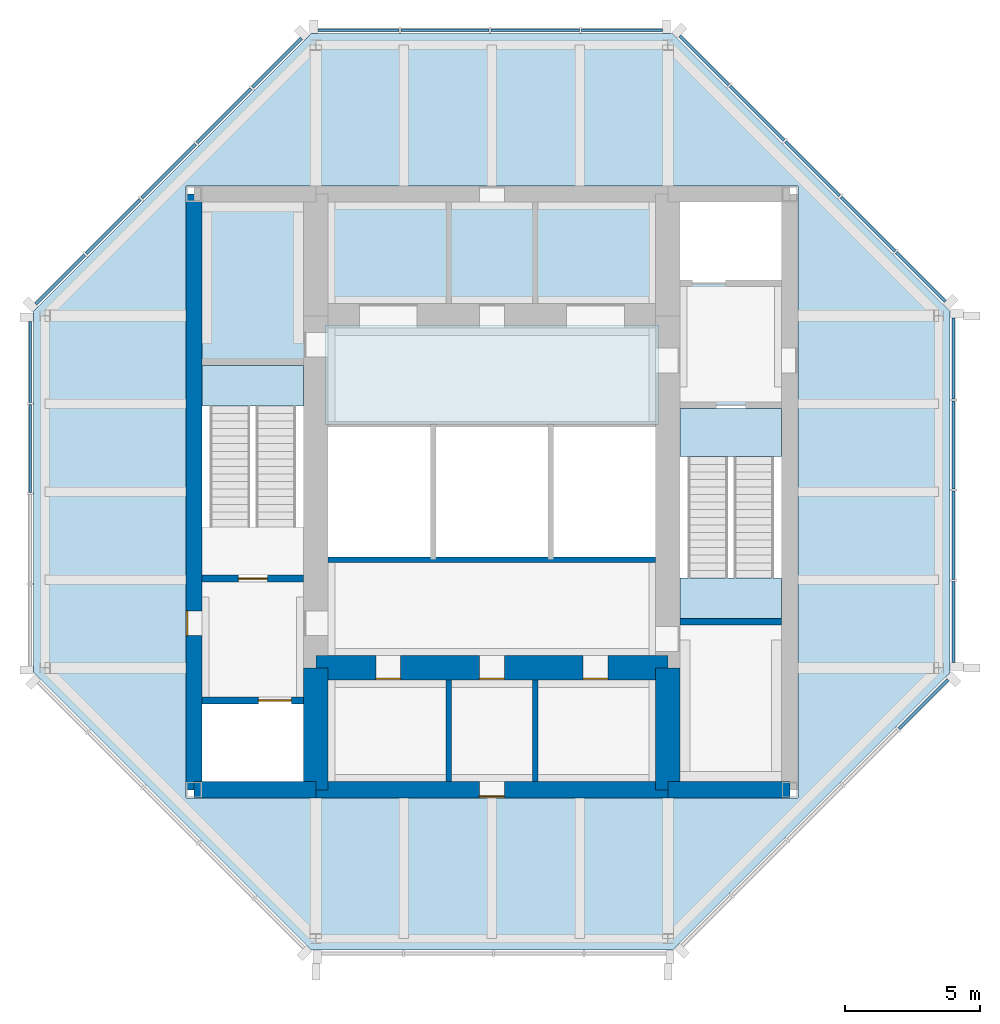
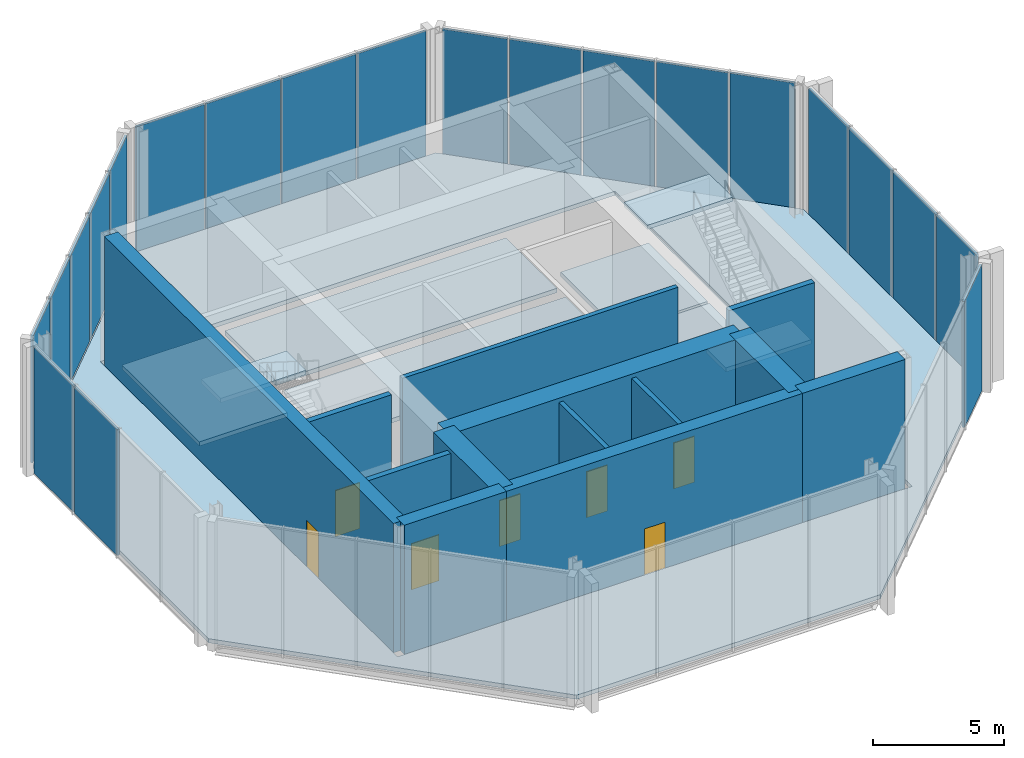
# One storey, part 4 of 6: 21 plates, 13 walls, 9 slabs, 7 doors, 7 openings, 8 elements without a shape of their own.
"""IFC4 building model written with IfcOpenShell, lengths in metres."""

from ifc_helpers import new_model, si_unit, direction, frame, frame_2d, origin, origin_2d, place, context, subcontext, project, spatial, polyline, rectangle, outline, extrude, material, layer, layer_set, type_object, element, fill, aggregate, save


model = new_model("IFC4")

# Units and contexts
model_context = context("Model", 3, precision=1e-05, world=origin(), true_north=direction((0.0, 1.0)))
body_context = subcontext(model_context, "Body", "Model", "MODEL_VIEW")
ifc_project = project(units=[si_unit("LENGTHUNIT", "METRE"), si_unit("AREAUNIT", "SQUARE_METRE"), si_unit("VOLUMEUNIT", "CUBIC_METRE"), si_unit("PLANEANGLEUNIT", "RADIAN"), si_unit("MASSUNIT", "GRAM", prefix="KILO")], contexts=[model_context])

# Site, building, storey
site_placement = place(None, origin())
site = spatial("IfcSite", under=ifc_project, at=site_placement, CompositionType="ELEMENT")
building_placement = place(site_placement, origin())
building = spatial("IfcBuilding", under=site, at=building_placement, Name="Trevanion Tower", CompositionType="ELEMENT")
storey_placement = place(building_placement, frame((0.0, 0.0, 304.199951171875)))
storey = spatial("IfcBuildingStorey", under=building, at=storey_placement, Name="L75", CompositionType="ELEMENT", Elevation=304.199951171875)

# Curtain wall, plates
ifc_material_1 = material(Name="Aluminium louvres", Category="aluminium")
curtain_wall_type = type_object("IfcCurtainWallType", Name="CWL curtain wall", PredefinedType="USERDEFINED", material=ifc_material_1)
curtain_wall_1_placement = place(storey_placement, origin())
curtain_wall_1 = element("IfcCurtainWall", 1, at=curtain_wall_1_placement, inside=storey, type_object=curtain_wall_type, Name="CWL L75 0", ObjectType="LOUVRE SCREEN", PredefinedType="USERDEFINED")
ifc_material_2 = material(Name="Aluminium louvres", Category="aluminium")
ifc_layer_1 = layer(ifc_material_2, 0.10009765625)
ifc_layer_set_1 = layer_set([ifc_layer_1], Name="CWL louvre panel")
plate_type = type_object("IfcPlateType", Name="CWL louvre panel", PredefinedType="CURTAIN_PANEL", material=ifc_layer_set_1)
plate_1_placement = place(storey_placement, frame((17.050048828125, -4.80078125, -0.114990234375), z_axis=(0.0, 0.0, 1.0), x_axis=(0.0, 1.0, 0.0)))
plate_1 = element("IfcPlate", 2, at=plate_1_placement, type_object=plate_type, Name="CWL panel 1.1", PredefinedType="CURTAIN_PANEL", context=body_context, shape_type="SweptSolid", body=[
    extrude(rectangle(XDim=2.993896484375, YDim=0.10009765625, at=origin_2d()), origin(), (0.0, 0.0, 1.0), 5.85009765625),
])
plate_2_placement = place(storey_placement, frame((17.050048828125, -1.6005859375, -0.114990234375), z_axis=(0.0, 0.0, 1.0), x_axis=(0.0, 1.0, 0.0)))
plate_2 = element("IfcPlate", 3, at=plate_2_placement, type_object=plate_type, Name="CWL panel 2.1", PredefinedType="CURTAIN_PANEL", context=body_context, shape_type="SweptSolid", body=[
    extrude(rectangle(XDim=3.25634765625, YDim=0.10009765625, at=origin_2d()), origin(), (0.0, 0.0, 1.0), 5.85009765625),
])
plate_3_placement = place(storey_placement, frame((17.050048828125, 1.730712890625, -0.114990234375), z_axis=(0.0, 0.0, 1.0), x_axis=(0.0, 1.0, 0.0)))
plate_3 = element("IfcPlate", 4, at=plate_3_placement, type_object=plate_type, Name="CWL panel 3.1", PredefinedType="CURTAIN_PANEL", context=body_context, shape_type="SweptSolid", body=[
    extrude(rectangle(XDim=3.25634765625, YDim=0.10009765625, at=origin_2d()), origin(), (0.0, 0.0, 1.0), 5.85009765625),
])
plate_4_placement = place(storey_placement, frame((17.050048828125, 4.930908203125, -0.114990234375), z_axis=(0.0, 0.0, 1.0), x_axis=(0.0, 1.0, 0.0)))
plate_4 = element("IfcPlate", 5, at=plate_4_placement, type_object=plate_type, Name="CWL panel 4.1", PredefinedType="CURTAIN_PANEL", context=body_context, shape_type="SweptSolid", body=[
    extrude(rectangle(XDim=2.993896484375, YDim=0.10009765625, at=origin_2d()), origin(), (0.0, 0.0, 1.0), 5.85009765625),
])
aggregate(curtain_wall_1, [plate_1, plate_2, plate_3, plate_4])

curtain_wall_2_placement = place(storey_placement, origin())
curtain_wall_2 = element("IfcCurtainWall", 6, at=curtain_wall_2_placement, inside=storey, type_object=curtain_wall_type, Name="CWL L75 1", ObjectType="LOUVRE SCREEN", PredefinedType="USERDEFINED")
plate_5_placement = place(storey_placement, frame((15.84228515625, 7.935546875, -0.114990234375), z_axis=(0.0, 0.0, 1.0), x_axis=(-0.707106781187, 0.707106781187, 0.0)))
plate_5 = element("IfcPlate", 7, at=plate_5_placement, type_object=plate_type, Name="CWL panel 1.1", PredefinedType="CURTAIN_PANEL", context=body_context, shape_type="SweptSolid", body=[
    extrude(rectangle(XDim=2.55615234375, YDim=0.10009765625, at=origin_2d()), origin(), (0.0, 0.0, 1.0), 5.85009765625),
])
plate_6_placement = place(storey_placement, frame((13.888916015625, 9.888916015625, -0.114990234375), z_axis=(0.0, 0.0, 1.0), x_axis=(-0.707106781187, 0.707106781187, 0.0)))
plate_6 = element("IfcPlate", 8, at=plate_6_placement, type_object=plate_type, Name="CWL panel 2.1", PredefinedType="CURTAIN_PANEL", context=body_context, shape_type="SweptSolid", body=[
    extrude(rectangle(XDim=2.818603515625, YDim=0.10009765625, at=origin_2d()), origin(), (0.0, 0.0, 1.0), 5.85009765625),
])
plate_7_placement = place(storey_placement, frame((11.843017578125, 11.934814453125, -0.114990234375), z_axis=(0.0, 0.0, 1.0), x_axis=(-0.707106781187, 0.707106781187, 0.0)))
plate_7 = element("IfcPlate", 9, at=plate_7_placement, type_object=plate_type, Name="CWL panel 3.1", PredefinedType="CURTAIN_PANEL", context=body_context, shape_type="SweptSolid", body=[
    extrude(rectangle(XDim=2.818603515625, YDim=0.10009765625, at=origin_2d()), origin(), (0.0, 0.0, 1.0), 5.85009765625),
])
plate_8_placement = place(storey_placement, frame((9.796875, 13.98095703125, -0.114990234375), z_axis=(0.0, 0.0, 1.0), x_axis=(-0.707106781187, 0.707106781187, 0.0)))
plate_8 = element("IfcPlate", 10, at=plate_8_placement, type_object=plate_type, Name="CWL panel 4.1", PredefinedType="CURTAIN_PANEL", context=body_context, shape_type="SweptSolid", body=[
    extrude(rectangle(XDim=2.818603515625, YDim=0.10009765625, at=origin_2d()), origin(), (0.0, 0.0, 1.0), 5.85009765625),
])
plate_9_placement = place(storey_placement, frame((7.84375, 15.93408203125, -0.114990234375), z_axis=(0.0, 0.0, 1.0), x_axis=(-0.707106781187, 0.707106781187, 0.0)))
plate_9 = element("IfcPlate", 11, at=plate_9_placement, type_object=plate_type, Name="CWL panel 5.1", PredefinedType="CURTAIN_PANEL", context=body_context, shape_type="SweptSolid", body=[
    extrude(rectangle(XDim=2.55615234375, YDim=0.10009765625, at=origin_2d()), origin(), (0.0, 0.0, 1.0), 5.85009765625),
])
aggregate(curtain_wall_2, [plate_5, plate_6, plate_7, plate_8, plate_9])

curtain_wall_3_placement = place(storey_placement, origin())
curtain_wall_3 = element("IfcCurtainWall", 12, at=curtain_wall_3_placement, inside=storey, type_object=curtain_wall_type, Name="CWL L75 2", ObjectType="LOUVRE SCREEN", PredefinedType="USERDEFINED")
plate_10_placement = place(storey_placement, frame((4.80078125, 17.050048828125, -0.114990234375), z_axis=(0.0, 0.0, 1.0), x_axis=(-1.0, 0.0, 0.0)))
plate_10 = element("IfcPlate", 13, at=plate_10_placement, type_object=plate_type, Name="CWL panel 1.1", PredefinedType="CURTAIN_PANEL", context=body_context, shape_type="SweptSolid", body=[
    extrude(rectangle(XDim=2.993896484375, YDim=0.10009765625, at=origin_2d()), origin(), (0.0, 0.0, 1.0), 5.85009765625),
])
plate_11_placement = place(storey_placement, frame((1.6005859375, 17.050048828125, -0.114990234375), z_axis=(0.0, 0.0, 1.0), x_axis=(-1.0, 0.0, 0.0)))
plate_11 = element("IfcPlate", 14, at=plate_11_placement, type_object=plate_type, Name="CWL panel 2.1", PredefinedType="CURTAIN_PANEL", context=body_context, shape_type="SweptSolid", body=[
    extrude(rectangle(XDim=3.25634765625, YDim=0.10009765625, at=origin_2d()), origin(), (0.0, 0.0, 1.0), 5.85009765625),
])
plate_12_placement = place(storey_placement, frame((-1.730712890625, 17.050048828125, -0.114990234375), z_axis=(0.0, 0.0, 1.0), x_axis=(-1.0, 0.0, 0.0)))
plate_12 = element("IfcPlate", 15, at=plate_12_placement, type_object=plate_type, Name="CWL panel 3.1", PredefinedType="CURTAIN_PANEL", context=body_context, shape_type="SweptSolid", body=[
    extrude(rectangle(XDim=3.25634765625, YDim=0.10009765625, at=origin_2d()), origin(), (0.0, 0.0, 1.0), 5.85009765625),
])
plate_13_placement = place(storey_placement, frame((-4.930908203125, 17.050048828125, -0.114990234375), z_axis=(0.0, 0.0, 1.0), x_axis=(-1.0, 0.0, 0.0)))
plate_13 = element("IfcPlate", 16, at=plate_13_placement, type_object=plate_type, Name="CWL panel 4.1", PredefinedType="CURTAIN_PANEL", context=body_context, shape_type="SweptSolid", body=[
    extrude(rectangle(XDim=2.993896484375, YDim=0.10009765625, at=origin_2d()), origin(), (0.0, 0.0, 1.0), 5.85009765625),
])
aggregate(curtain_wall_3, [plate_10, plate_11, plate_12, plate_13])

curtain_wall_4_placement = place(storey_placement, origin())
curtain_wall_4 = element("IfcCurtainWall", 17, at=curtain_wall_4_placement, inside=storey, type_object=curtain_wall_type, Name="CWL L75 3", ObjectType="LOUVRE SCREEN", PredefinedType="USERDEFINED")
plate_14_placement = place(storey_placement, frame((-7.935546875, 15.84228515625, -0.114990234375), z_axis=(0.0, 0.0, 1.0), x_axis=(-0.707106781187, -0.707106781187, 0.0)))
plate_14 = element("IfcPlate", 18, at=plate_14_placement, type_object=plate_type, Name="CWL panel 1.1", PredefinedType="CURTAIN_PANEL", context=body_context, shape_type="SweptSolid", body=[
    extrude(rectangle(XDim=2.55615234375, YDim=0.10009765625, at=origin_2d()), origin(), (0.0, 0.0, 1.0), 5.85009765625),
])
plate_15_placement = place(storey_placement, frame((-9.888916015625, 13.888916015625, -0.114990234375), z_axis=(0.0, 0.0, 1.0), x_axis=(-0.707106781187, -0.707106781187, 0.0)))
plate_15 = element("IfcPlate", 19, at=plate_15_placement, type_object=plate_type, Name="CWL panel 2.1", PredefinedType="CURTAIN_PANEL", context=body_context, shape_type="SweptSolid", body=[
    extrude(rectangle(XDim=2.818603515625, YDim=0.10009765625, at=origin_2d()), origin(), (0.0, 0.0, 1.0), 5.85009765625),
])
plate_16_placement = place(storey_placement, frame((-11.934814453125, 11.843017578125, -0.114990234375), z_axis=(0.0, 0.0, 1.0), x_axis=(-0.707106781187, -0.707106781187, 0.0)))
plate_16 = element("IfcPlate", 20, at=plate_16_placement, type_object=plate_type, Name="CWL panel 3.1", PredefinedType="CURTAIN_PANEL", context=body_context, shape_type="SweptSolid", body=[
    extrude(rectangle(XDim=2.818603515625, YDim=0.10009765625, at=origin_2d()), origin(), (0.0, 0.0, 1.0), 5.85009765625),
])
plate_17_placement = place(storey_placement, frame((-13.98095703125, 9.796875, -0.114990234375), z_axis=(0.0, 0.0, 1.0), x_axis=(-0.707106781187, -0.707106781187, 0.0)))
plate_17 = element("IfcPlate", 21, at=plate_17_placement, type_object=plate_type, Name="CWL panel 4.1", PredefinedType="CURTAIN_PANEL", context=body_context, shape_type="SweptSolid", body=[
    extrude(rectangle(XDim=2.818603515625, YDim=0.10009765625, at=origin_2d()), origin(), (0.0, 0.0, 1.0), 5.85009765625),
])
plate_18_placement = place(storey_placement, frame((-15.93408203125, 7.84375, -0.114990234375), z_axis=(0.0, 0.0, 1.0), x_axis=(-0.707106781187, -0.707106781187, 0.0)))
plate_18 = element("IfcPlate", 22, at=plate_18_placement, type_object=plate_type, Name="CWL panel 5.1", PredefinedType="CURTAIN_PANEL", context=body_context, shape_type="SweptSolid", body=[
    extrude(rectangle(XDim=2.55615234375, YDim=0.10009765625, at=origin_2d()), origin(), (0.0, 0.0, 1.0), 5.85009765625),
])
aggregate(curtain_wall_4, [plate_14, plate_15, plate_16, plate_17, plate_18])

curtain_wall_5_placement = place(storey_placement, origin())
curtain_wall_5 = element("IfcCurtainWall", 23, at=curtain_wall_5_placement, inside=storey, type_object=curtain_wall_type, Name="CWL L75 4", ObjectType="LOUVRE SCREEN", PredefinedType="USERDEFINED")
plate_19_placement = place(storey_placement, frame((-17.050048828125, 4.80078125, -0.114990234375), z_axis=(0.0, 0.0, 1.0), x_axis=(0.0, -1.0, 0.0)))
plate_19 = element("IfcPlate", 24, at=plate_19_placement, type_object=plate_type, Name="CWL panel 1.1", PredefinedType="CURTAIN_PANEL", context=body_context, shape_type="SweptSolid", body=[
    extrude(rectangle(XDim=2.993896484375, YDim=0.10009765625, at=origin_2d()), origin(), (0.0, 0.0, 1.0), 5.85009765625),
])
plate_20_placement = place(storey_placement, frame((-17.050048828125, 1.6005859375, -0.114990234375), z_axis=(0.0, 0.0, 1.0), x_axis=(0.0, -1.0, 0.0)))
plate_20 = element("IfcPlate", 25, at=plate_20_placement, type_object=plate_type, Name="CWL panel 2.1", PredefinedType="CURTAIN_PANEL", context=body_context, shape_type="SweptSolid", body=[
    extrude(rectangle(XDim=3.25634765625, YDim=0.10009765625, at=origin_2d()), origin(), (0.0, 0.0, 1.0), 5.85009765625),
])
aggregate(curtain_wall_5, [plate_19, plate_20])

# Curtain wall, plate
curtain_wall_6_placement = place(storey_placement, origin())
curtain_wall_6 = element("IfcCurtainWall", 26, at=curtain_wall_6_placement, inside=storey, type_object=curtain_wall_type, Name="CWL L75 7", ObjectType="LOUVRE SCREEN", PredefinedType="USERDEFINED")
plate_21_placement = place(storey_placement, frame((15.93408203125, -7.84375, -0.114990234375), z_axis=(0.0, 0.0, 1.0), x_axis=(0.707106781187, 0.707106781187, 0.0)))
plate_21 = element("IfcPlate", 27, at=plate_21_placement, type_object=plate_type, Name="CWL panel 5.1", PredefinedType="CURTAIN_PANEL", context=body_context, shape_type="SweptSolid", body=[
    extrude(rectangle(XDim=2.55615234375, YDim=0.10009765625, at=origin_2d()), origin(), (0.0, 0.0, 1.0), 5.85009765625),
])
aggregate(curtain_wall_6, [plate_21])

# Slabs
ifc_material_3 = material(Name="Concrete 5,000 psi on composite metal deck", Category="concrete")
ifc_layer_2 = layer(ifc_material_3, 0.18994140625)
ifc_layer_set_2 = layer_set([ifc_layer_2], Name="SL1 composite floor 190")
slab_type_1 = type_object("IfcSlabType", Name="SL1 composite floor 190", PredefinedType="FLOOR", material=ifc_layer_set_2)
slab_1_placement = place(storey_placement, frame((0.0, 0.0, -0.18994140625)))
element("IfcSlab", 28, at=slab_1_placement, inside=storey, type_object=slab_type_1, Name="SL1 L75 floor", PredefinedType="FLOOR", context=body_context, shape_type="SweptSolid", body=[
    extrude(outline(polyline([(16.919921875, -6.674072265625), (16.919921875, 6.674072265625), (6.674072265625, 16.919921875), (-6.674072265625, 16.919921875), (-16.919921875, 6.674072265625), (-16.919921875, -6.674072265625), (-6.674072265625, -16.919921875), (6.674072265625, -16.919921875), (16.919921875, -6.674072265625)]), holes=[polyline([(11.300048828125, -11.300048828125), (11.300048828125, 11.300048828125), (-11.300048828125, 11.300048828125), (-11.300048828125, -11.300048828125), (11.300048828125, -11.300048828125)])]), origin(), (0.0, 0.0, 1.0), 0.18994140625),
])
ifc_material_4 = material(Name="Concrete 5,000 psi", Category="concrete")
ifc_layer_3 = layer(ifc_material_4, 0.199951171875)
ifc_layer_set_3 = layer_set([ifc_layer_3], Name="SL2 core floor 200")
slab_type_2 = type_object("IfcSlabType", Name="SL2 core floor 200", PredefinedType="FLOOR", material=ifc_layer_set_3)
slab_2_placement = place(storey_placement, frame((0.0, 0.0, -0.199951171875)))
element("IfcSlab", 29, at=slab_2_placement, inside=storey, type_object=slab_type_2, Name="SL2 L75 core floor 5", PredefinedType="FLOOR", context=body_context, shape_type="SweptSolid", body=[
    extrude(outline(polyline([(6.169921875, 2.47998046875), (-6.169921875, 2.47998046875), (-6.169921875, 6.169921875), (6.169921875, 6.169921875), (6.169921875, 2.47998046875)])), origin(), (0.0, 0.0, 1.0), 0.199951171875),
])
slab_3_placement = place(storey_placement, frame((0.0, 0.0, -0.199951171875)))
element("IfcSlab", 30, at=slab_3_placement, inside=storey, type_object=slab_type_2, Name="SL2 L75 core floor 6", PredefinedType="FLOOR", context=body_context, shape_type="SweptSolid", body=[
    extrude(outline(polyline([(6.830078125, 3.205078125), (6.830078125, 7.695068359375), (10.699951171875, 7.695068359375), (10.699951171875, 3.205078125), (6.830078125, 3.205078125)])), origin(), (0.0, 0.0, 1.0), 0.199951171875),
])
slab_4_placement = place(storey_placement, frame((0.0, 0.0, -0.199951171875)))
element("IfcSlab", 31, at=slab_4_placement, inside=storey, type_object=slab_type_2, Name="SL2 L75 core floor 7", PredefinedType="FLOOR", context=body_context, shape_type="SweptSolid", body=[
    extrude(outline(polyline([(-6.830078125, 4.804931640625), (-10.699951171875, 4.804931640625), (-10.699951171875, 10.699951171875), (-6.830078125, 10.699951171875), (-6.830078125, 4.804931640625)])), origin(), (0.0, 0.0, 1.0), 0.199951171875),
])
slab_5_placement = place(storey_placement, frame((0.0, 0.0, -0.199951171875)))
element("IfcSlab", 32, at=slab_5_placement, inside=storey, type_object=slab_type_2, Name="SL2 L75 core floor 8", PredefinedType="FLOOR", context=body_context, shape_type="SweptSolid", body=[
    extrude(outline(polyline([(6.169921875, 6.830078125), (-6.169921875, 6.830078125), (-6.169921875, 10.699951171875), (6.169921875, 10.699951171875), (6.169921875, 6.830078125)])), origin(), (0.0, 0.0, 1.0), 0.199951171875),
])

# Stair, slabs
ifc_material_5 = material(Name="Concrete 5,000 psi on steel stringers", Category="concrete")
stair_type = type_object("IfcStairType", Name="ST stair", PredefinedType="HALF_TURN_STAIR", material=ifc_material_5)
stair_1_placement = place(storey_placement, origin())
stair_1 = element("IfcStair", 33, at=stair_1_placement, inside=storey, type_object=stair_type, Name="ST1 L75", PredefinedType="HALF_TURN_STAIR")
ifc_material_6 = material(Name="Concrete 5,000 psi in steel pan", Category="concrete")
ifc_layer_4 = layer(ifc_material_6, 0.199951171875)
ifc_layer_set_4 = layer_set([ifc_layer_4], Name="STL stair landing 200")
slab_type_3 = type_object("IfcSlabType", Name="STL stair landing 200", PredefinedType="LANDING", material=ifc_layer_set_4)
slab_6_placement = place(storey_placement, frame((0.0, 0.0, -0.199951171875)))
slab_6 = element("IfcSlab", 34, at=slab_6_placement, type_object=slab_type_3, Name="ST1 landing 1", PredefinedType="LANDING", context=body_context, shape_type="SweptSolid", body=[
    extrude(outline(polyline([(6.949951171875, 1.300048828125), (10.699951171875, 1.300048828125), (10.699951171875, 3.074951171875), (6.949951171875, 3.074951171875), (6.949951171875, 1.300048828125)])), origin(), (0.0, 0.0, 1.0), 0.199951171875),
])
slab_7_placement = place(storey_placement, frame((0.0, 0.0, 2.800048828125)))
slab_7 = element("IfcSlab", 35, at=slab_7_placement, type_object=slab_type_3, Name="ST1 landing 2", PredefinedType="LANDING", context=body_context, shape_type="SweptSolid", body=[
    extrude(outline(polyline([(6.949951171875, -4.675048828125), (10.699951171875, -4.675048828125), (10.699951171875, -3.179931640625), (6.949951171875, -3.179931640625), (6.949951171875, -4.675048828125)])), origin(), (0.0, 0.0, 1.0), 0.199951171875),
])
slab_8_placement = place(storey_placement, frame((0.0, 0.0, 5.800048828125)))
slab_8 = element("IfcSlab", 36, at=slab_8_placement, type_object=slab_type_3, Name="ST1 landing 3", PredefinedType="LANDING", context=body_context, shape_type="SweptSolid", body=[
    extrude(outline(polyline([(6.949951171875, 1.300048828125), (10.699951171875, 1.300048828125), (10.699951171875, 3.074951171875), (6.949951171875, 3.074951171875), (6.949951171875, 1.300048828125)])), origin(), (0.0, 0.0, 1.0), 0.199951171875),
])
aggregate(stair_1, [slab_6, slab_7, slab_8])

# Stair, slab
stair_2_placement = place(storey_placement, origin())
stair_2 = element("IfcStair", 37, at=stair_2_placement, inside=storey, type_object=stair_type, Name="ST2 L75", PredefinedType="HALF_TURN_STAIR")
slab_9_placement = place(storey_placement, frame((0.0, 0.0, 2.800048828125)))
slab_9 = element("IfcSlab", 38, at=slab_9_placement, type_object=slab_type_3, Name="ST2 landing 2", PredefinedType="LANDING", context=body_context, shape_type="SweptSolid", body=[
    extrude(outline(polyline([(-6.949951171875, 4.675048828125), (-10.699951171875, 4.675048828125), (-10.699951171875, 3.179931640625), (-6.949951171875, 3.179931640625), (-6.949951171875, 4.675048828125)])), origin(), (0.0, 0.0, 1.0), 0.199951171875),
])
aggregate(stair_2, [slab_9])

# Wall, opening, door
ifc_material_7 = material(Name="Concrete 10,000 psi", Category="concrete")
ifc_layer_5 = layer(ifc_material_7, 0.60009765625)
ifc_layer_set_5 = layer_set([ifc_layer_5], Name="CW1 core wall 600")
wall_type_1 = type_object("IfcWallType", Name="CW1 core wall 600", PredefinedType="SHEAR", material=ifc_layer_set_5)
wall_1_placement = place(storey_placement, frame((-11.0, 11.0, 0.0), z_axis=(0.0, 0.0, 1.0), x_axis=(0.0, -1.0, 0.0)))
wall_1 = element("IfcWall", 39, at=wall_1_placement, inside=storey, type_object=wall_type_1, Name="CW1 CW L75", PredefinedType="SHEAR", context=body_context, shape_type="SweptSolid", body=[
    extrude(rectangle(XDim=22.0, YDim=0.60009765625, at=frame_2d((11.0, 0.0))), origin(), (0.0, 0.0, 1.0), 6.0),
])
opening_1_placement = place(wall_1_placement, frame((15.392578125, 0.0, 0.0)))
opening_1 = element("IfcOpeningElement", 40, at=opening_1_placement, cuts=wall_1, Name="Opening 75-002", PredefinedType="OPENING", context=body_context, shape_type="SweptSolid", body=[
    extrude(rectangle(XDim=0.9150390625, YDim=2.134033203125, at=frame_2d((0.45751953125, 1.06689453125))), frame((0.0, 0.31005859375, 0.0), z_axis=(0.0, -1.0, 0.0), x_axis=(1.0, 0.0, 0.0)), (0.0, 0.0, 1.0), 0.6201171875),
])
ifc_material_8 = material(Name="Hollow metal, fire rated", Category="steel")
door_type_1 = type_object("IfcDoorType", Name="D3 fire lift lobby door", OperationType="SINGLE_SWING_RIGHT", PredefinedType="DOOR", material=ifc_material_8)
door_1_placement = place(opening_1_placement, origin())
door_1 = element("IfcDoor", 41, at=door_1_placement, inside=storey, type_object=door_type_1, Name="Door 75-002", OperationType="SINGLE_SWING_RIGHT", OverallHeight=2.134033203125, OverallWidth=0.9150390625, PredefinedType="DOOR", context=body_context, shape_type="SweptSolid", body=[
    extrude(rectangle(XDim=0.9150390625, YDim=2.134033203125, at=frame_2d((0.45751953125, 1.06689453125))), frame((0.0, -0.22509765625, 0.0), z_axis=(0.0, -1.0, 0.0), x_axis=(1.0, 0.0, 0.0)), (0.0, 0.0, 1.0), 0.050048828125),
])
fill(opening_1, door_1)

# Wall
wall_2_placement = place(storey_placement, frame((-11.0, -11.0, 0.0), z_axis=(0.0, 0.0, 1.0), x_axis=(1.0, 0.0, 0.0)))
element("IfcWall", 42, at=wall_2_placement, inside=storey, type_object=wall_type_1, Name="CW1 CS1 L75", PredefinedType="SHEAR", context=body_context, shape_type="SweptSolid", body=[
    extrude(rectangle(XDim=4.5, YDim=0.60009765625, at=frame_2d((2.25, 0.0))), origin(), (0.0, 0.0, 1.0), 6.0),
])

# Wall, opening, door
wall_3_placement = place(storey_placement, frame((-6.5, -11.0, 0.0), z_axis=(0.0, 0.0, 1.0), x_axis=(1.0, 0.0, 0.0)))
wall_3 = element("IfcWall", 43, at=wall_3_placement, inside=storey, type_object=wall_type_1, Name="CW1 CS2 L75", PredefinedType="SHEAR", context=body_context, shape_type="SweptSolid", body=[
    extrude(rectangle(XDim=13.0, YDim=0.60009765625, at=frame_2d((6.5, 0.0))), origin(), (0.0, 0.0, 1.0), 6.0),
])
opening_2_placement = place(wall_3_placement, frame((6.04248046875, 0.0, 0.0)))
opening_2 = element("IfcOpeningElement", 44, at=opening_2_placement, cuts=wall_3, Name="Opening 75-016", PredefinedType="OPENING", context=body_context, shape_type="SweptSolid", body=[
    extrude(rectangle(XDim=0.9150390625, YDim=2.134033203125, at=frame_2d((0.45751953125, 1.06689453125))), frame((0.0, 0.31005859375, 0.0), z_axis=(0.0, -1.0, 0.0), x_axis=(1.0, 0.0, 0.0)), (0.0, 0.0, 1.0), 0.6201171875),
])
door_2_placement = place(opening_2_placement, origin())
door_2 = element("IfcDoor", 45, at=door_2_placement, inside=storey, type_object=door_type_1, Name="Door 75-016", OperationType="SINGLE_SWING_RIGHT", OverallHeight=2.134033203125, OverallWidth=0.9150390625, PredefinedType="DOOR", context=body_context, shape_type="SweptSolid", body=[
    extrude(rectangle(XDim=0.9150390625, YDim=2.134033203125, at=frame_2d((0.45751953125, 1.06689453125))), frame((0.0, -0.22509765625, 0.0), z_axis=(0.0, -1.0, 0.0), x_axis=(1.0, 0.0, 0.0)), (0.0, 0.0, 1.0), 0.050048828125),
])
fill(opening_2, door_2)

# Walls
wall_4_placement = place(storey_placement, frame((6.5, -11.0, 0.0), z_axis=(0.0, 0.0, 1.0), x_axis=(1.0, 0.0, 0.0)))
element("IfcWall", 46, at=wall_4_placement, inside=storey, type_object=wall_type_1, Name="CW1 CS3 L75", PredefinedType="SHEAR", context=body_context, shape_type="SweptSolid", body=[
    extrude(rectangle(XDim=4.5, YDim=0.60009765625, at=frame_2d((2.25, 0.0))), origin(), (0.0, 0.0, 1.0), 6.0),
])
ifc_material_9 = material(Name="Concrete 10,000 psi", Category="concrete")
ifc_layer_6 = layer(ifc_material_9, 0.89990234375)
ifc_layer_set_6 = layer_set([ifc_layer_6], Name="CW2 core wall 900")
wall_type_2 = type_object("IfcWallType", Name="CW2 core wall 900", PredefinedType="SHEAR", material=ifc_layer_set_6)
for number, where, z_axis, x_axis, name in (
    (47, (6.5, -11.0, 0.0), (0.0, 0.0, 1.0), (0.0, 1.0, 0.0), "CW2 RE1 L75"),
    (48, (-6.5, -6.5, 0.0), (0.0, 0.0, 1.0), (0.0, -1.0, 0.0), "CW2 RW3 L75"),
):
    element("IfcWall", number, at=place(storey_placement, frame(where, z_axis=z_axis, x_axis=x_axis)), inside=storey, type_object=wall_type_2, Name=name, PredefinedType="SHEAR", context=body_context, shape_type="SweptSolid", body=[
        extrude(rectangle(XDim=4.5, YDim=0.89990234375, at=frame_2d((2.25, 0.0))), origin(), (0.0, 0.0, 1.0), 6.0),
    ])

# Wall, openings, doors
wall_5_placement = place(storey_placement, frame((-6.5, -6.5, 0.0), z_axis=(0.0, 0.0, 1.0), x_axis=(1.0, 0.0, 0.0)))
wall_5 = element("IfcWall", 49, at=wall_5_placement, inside=storey, type_object=wall_type_2, Name="CW2 RS L75", PredefinedType="SHEAR", context=body_context, shape_type="SweptSolid", body=[
    extrude(rectangle(XDim=13.0, YDim=0.89990234375, at=frame_2d((6.5, 0.0))), origin(), (0.0, 0.0, 1.0), 6.0),
])
opening_3_placement = place(wall_5_placement, frame((6.04248046875, 0.0, 0.0)))
opening_3 = element("IfcOpeningElement", 50, at=opening_3_placement, cuts=wall_5, Name="Opening 75-015", PredefinedType="OPENING", context=body_context, shape_type="SweptSolid", body=[
    extrude(rectangle(XDim=0.9150390625, YDim=2.134033203125, at=frame_2d((0.45751953125, 1.06689453125))), frame((0.0, 0.4599609375, 0.0), z_axis=(0.0, -1.0, 0.0), x_axis=(1.0, 0.0, 0.0)), (0.0, 0.0, 1.0), 0.919921875),
])
opening_4_placement = place(wall_5_placement, frame((2.217529296875, 0.0, 0.0)))
opening_4 = element("IfcOpeningElement", 51, at=opening_4_placement, cuts=wall_5, Name="Opening 75-017", PredefinedType="OPENING", context=body_context, shape_type="SweptSolid", body=[
    extrude(rectangle(XDim=0.9150390625, YDim=2.134033203125, at=frame_2d((0.45751953125, 1.06689453125))), frame((0.0, 0.4599609375, 0.0), z_axis=(0.0, -1.0, 0.0), x_axis=(1.0, 0.0, 0.0)), (0.0, 0.0, 1.0), 0.919921875),
])
opening_5_placement = place(wall_5_placement, frame((9.867431640625, 0.0, 0.0)))
opening_5 = element("IfcOpeningElement", 52, at=opening_5_placement, cuts=wall_5, Name="Opening 75-018", PredefinedType="OPENING", context=body_context, shape_type="SweptSolid", body=[
    extrude(rectangle(XDim=0.9150390625, YDim=2.134033203125, at=frame_2d((0.45751953125, 1.06689453125))), frame((0.0, 0.4599609375, 0.0), z_axis=(0.0, -1.0, 0.0), x_axis=(1.0, 0.0, 0.0)), (0.0, 0.0, 1.0), 0.919921875),
])
door_3_placement = place(opening_3_placement, origin())
door_3 = element("IfcDoor", 53, at=door_3_placement, inside=storey, type_object=door_type_1, Name="Door 75-015", OperationType="SINGLE_SWING_RIGHT", OverallHeight=2.134033203125, OverallWidth=0.9150390625, PredefinedType="DOOR", context=body_context, shape_type="SweptSolid", body=[
    extrude(rectangle(XDim=0.9150390625, YDim=2.134033203125, at=frame_2d((0.45751953125, 1.06689453125))), frame((0.0, -0.375, 0.0), z_axis=(0.0, -1.0, 0.0), x_axis=(1.0, 0.0, 0.0)), (0.0, 0.0, 1.0), 0.050048828125),
])
fill(opening_3, door_3)
ifc_material_10 = material(Name="Hollow metal, fire rated", Category="steel")
door_type_2 = type_object("IfcDoorType", Name="D5 service room door", OperationType="SINGLE_SWING_RIGHT", PredefinedType="DOOR", material=ifc_material_10)
door_4_placement = place(opening_4_placement, origin())
door_4 = element("IfcDoor", 54, at=door_4_placement, inside=storey, type_object=door_type_2, Name="Door 75-017", OperationType="SINGLE_SWING_RIGHT", OverallHeight=2.134033203125, OverallWidth=0.9150390625, PredefinedType="DOOR", context=body_context, shape_type="SweptSolid", body=[
    extrude(rectangle(XDim=0.9150390625, YDim=2.134033203125, at=frame_2d((0.45751953125, 1.06689453125))), frame((0.0, -0.375, 0.0), z_axis=(0.0, -1.0, 0.0), x_axis=(1.0, 0.0, 0.0)), (0.0, 0.0, 1.0), 0.050048828125),
])
fill(opening_4, door_4)
door_5_placement = place(opening_5_placement, origin())
door_5 = element("IfcDoor", 55, at=door_5_placement, inside=storey, type_object=door_type_2, Name="Door 75-018", OperationType="SINGLE_SWING_RIGHT", OverallHeight=2.134033203125, OverallWidth=0.9150390625, PredefinedType="DOOR", context=body_context, shape_type="SweptSolid", body=[
    extrude(rectangle(XDim=0.9150390625, YDim=2.134033203125, at=frame_2d((0.45751953125, 1.06689453125))), frame((0.0, -0.375, 0.0), z_axis=(0.0, -1.0, 0.0), x_axis=(1.0, 0.0, 0.0)), (0.0, 0.0, 1.0), 0.050048828125),
])
fill(opening_5, door_5)

# Walls
ifc_material_11 = material(Name="Concrete masonry, grouted", Category="masonry")
ifc_layer_7 = layer(ifc_material_11, 0.199951171875)
ifc_layer_set_7 = layer_set([ifc_layer_7], Name="PT2 partition 200 1 HR")
wall_type_3 = type_object("IfcWallType", Name="PT2 partition 200 1 HR", PredefinedType="PARTITIONING", material=ifc_layer_set_7)
wall_6_placement = place(storey_placement, frame((6.050048828125, -2.5, 0.0), z_axis=(0.0, 0.0, 1.0), x_axis=(-1.0, 0.0, 0.0)))
element("IfcWall", 56, at=wall_6_placement, inside=storey, type_object=wall_type_3, Name="PT2 L75 CP2", PredefinedType="PARTITIONING", context=body_context, shape_type="SweptSolid", body=[
    extrude(rectangle(XDim=12.10009765625, YDim=0.199951171875, at=frame_2d((6.050048828125, 0.0))), origin(), (0.0, 0.0, 1.0), 5.81005859375),
])
for number, where, z_axis, x_axis, name in (
    (57, (-1.60009765625, -6.949951171875, 0.0), (0.0, 0.0, 1.0), (0.0, -1.0, 0.0), "PT2 L75 CSP1"),
    (58, (1.60009765625, -6.949951171875, 0.0), (0.0, 0.0, 1.0), (0.0, -1.0, 0.0), "PT2 L75 CSP2"),
):
    element("IfcWall", number, at=place(storey_placement, frame(where, z_axis=z_axis, x_axis=x_axis)), inside=storey, type_object=wall_type_3, Name=name, PredefinedType="PARTITIONING", context=body_context, shape_type="SweptSolid", body=[
        extrude(rectangle(XDim=3.75, YDim=0.199951171875, at=frame_2d((1.875, 0.0))), origin(), (0.0, 0.0, 1.0), 5.81005859375),
    ])

# Wall, opening, door
ifc_material_12 = material(Name="Concrete masonry, grouted, two-hour", Category="masonry")
ifc_layer_8 = layer(ifc_material_12, 0.25)
ifc_layer_set_8 = layer_set([ifc_layer_8], Name="PT3 partition 250 2 HR")
wall_type_4 = type_object("IfcWallType", Name="PT3 partition 250 2 HR", PredefinedType="PARTITIONING", material=ifc_layer_set_8)
wall_7_placement = place(storey_placement, frame((-6.949951171875, -7.699951171875, 0.0), z_axis=(0.0, 0.0, 1.0), x_axis=(-1.0, 0.0, 0.0)))
wall_7 = element("IfcWall", 59, at=wall_7_placement, inside=storey, type_object=wall_type_4, Name="PT3 L75 WP3", PredefinedType="PARTITIONING", context=body_context, shape_type="SweptSolid", body=[
    extrude(rectangle(XDim=3.75, YDim=0.25, at=frame_2d((1.875, 0.0))), origin(), (0.0, 0.0, 1.0), 5.81005859375),
])
opening_6_placement = place(wall_7_placement, frame((0.449951171875, 0.0, 0.0)))
opening_6 = element("IfcOpeningElement", 60, at=opening_6_placement, cuts=wall_7, Name="Opening 75-008", PredefinedType="OPENING", context=body_context, shape_type="SweptSolid", body=[
    extrude(rectangle(XDim=1.218994140625, YDim=2.134033203125, at=frame_2d((0.609375, 1.06689453125))), frame((0.0, 0.135009765625, 0.0), z_axis=(0.0, -1.0, 0.0), x_axis=(1.0, 0.0, 0.0)), (0.0, 0.0, 1.0), 0.27001953125),
])
ifc_material_13 = material(Name="Stainless steel, fire rated", Category="steel")
door_type_3 = type_object("IfcDoorType", Name="LD2 fire service lift landing door", OperationType="SLIDING_TO_LEFT", PredefinedType="DOOR", material=ifc_material_13)
door_6_placement = place(opening_6_placement, origin())
door_6 = element("IfcDoor", 61, at=door_6_placement, inside=storey, type_object=door_type_3, Name="Door 75-008", OperationType="SLIDING_TO_LEFT", OverallHeight=2.134033203125, OverallWidth=1.218994140625, PredefinedType="DOOR", context=body_context, shape_type="SweptSolid", body=[
    extrude(rectangle(XDim=1.218994140625, YDim=2.134033203125, at=frame_2d((0.609375, 1.06689453125))), frame((0.0, 0.02490234375, 0.0), z_axis=(0.0, -1.0, 0.0), x_axis=(1.0, 0.0, 0.0)), (0.0, 0.0, 1.0), 0.050048828125),
])
fill(opening_6, door_6)

# Wall
ifc_material_14 = material(Name="Reinforced masonry, fully grouted", Category="masonry")
ifc_layer_9 = layer(ifc_material_14, 0.25)
ifc_layer_set_9 = layer_set([ifc_layer_9], Name="SW1 stair shaft wall 250")
wall_type_5 = type_object("IfcWallType", Name="SW1 stair shaft wall 250", PredefinedType="SOLIDWALL", material=ifc_layer_set_9)
wall_8_placement = place(storey_placement, frame((6.949951171875, -4.800048828125, 0.0), z_axis=(0.0, 0.0, 1.0), x_axis=(1.0, 0.0, 0.0)))
element("IfcWall", 62, at=wall_8_placement, inside=storey, type_object=wall_type_5, Name="SW1 L75 EP1", PredefinedType="SOLIDWALL", context=body_context, shape_type="SweptSolid", body=[
    extrude(rectangle(XDim=3.75, YDim=0.25, at=frame_2d((1.875, 0.0))), origin(), (0.0, 0.0, 1.0), 5.81005859375),
])

# Wall, opening, door
wall_9_placement = place(storey_placement, frame((-6.949951171875, -3.199951171875, 0.0), z_axis=(0.0, 0.0, 1.0), x_axis=(-1.0, 0.0, 0.0)))
wall_9 = element("IfcWall", 63, at=wall_9_placement, inside=storey, type_object=wall_type_5, Name="SW1 L75 WP2", PredefinedType="SOLIDWALL", context=body_context, shape_type="SweptSolid", body=[
    extrude(rectangle(XDim=3.75, YDim=0.25, at=frame_2d((1.875, 0.0))), origin(), (0.0, 0.0, 1.0), 5.81005859375),
])
opening_7_placement = place(wall_9_placement, frame((1.341552734375, 0.0, 0.0)))
opening_7 = element("IfcOpeningElement", 64, at=opening_7_placement, cuts=wall_9, Name="Opening 75-006", PredefinedType="OPENING", context=body_context, shape_type="SweptSolid", body=[
    extrude(rectangle(XDim=1.06689453125, YDim=2.134033203125, at=frame_2d((0.533447265625, 1.06689453125))), frame((0.0, 0.135009765625, 0.0), z_axis=(0.0, -1.0, 0.0), x_axis=(1.0, 0.0, 0.0)), (0.0, 0.0, 1.0), 0.27001953125),
])
ifc_material_15 = material(Name="Hollow metal, fire rated", Category="steel")
door_type_4 = type_object("IfcDoorType", Name="D2 exit stair door", OperationType="SINGLE_SWING_LEFT", PredefinedType="DOOR", material=ifc_material_15)
door_7_placement = place(opening_7_placement, origin())
door_7 = element("IfcDoor", 65, at=door_7_placement, inside=storey, type_object=door_type_4, Name="Door 75-006", OperationType="SINGLE_SWING_LEFT", OverallHeight=2.134033203125, OverallWidth=1.06689453125, PredefinedType="DOOR", context=body_context, shape_type="SweptSolid", body=[
    extrude(rectangle(XDim=1.06689453125, YDim=2.134033203125, at=frame_2d((0.533447265625, 1.06689453125))), frame((0.0, 0.02490234375, 0.0), z_axis=(0.0, -1.0, 0.0), x_axis=(1.0, 0.0, 0.0)), (0.0, 0.0, 1.0), 0.050048828125),
])
fill(opening_7, door_7)

save(model, "model.ifc")
